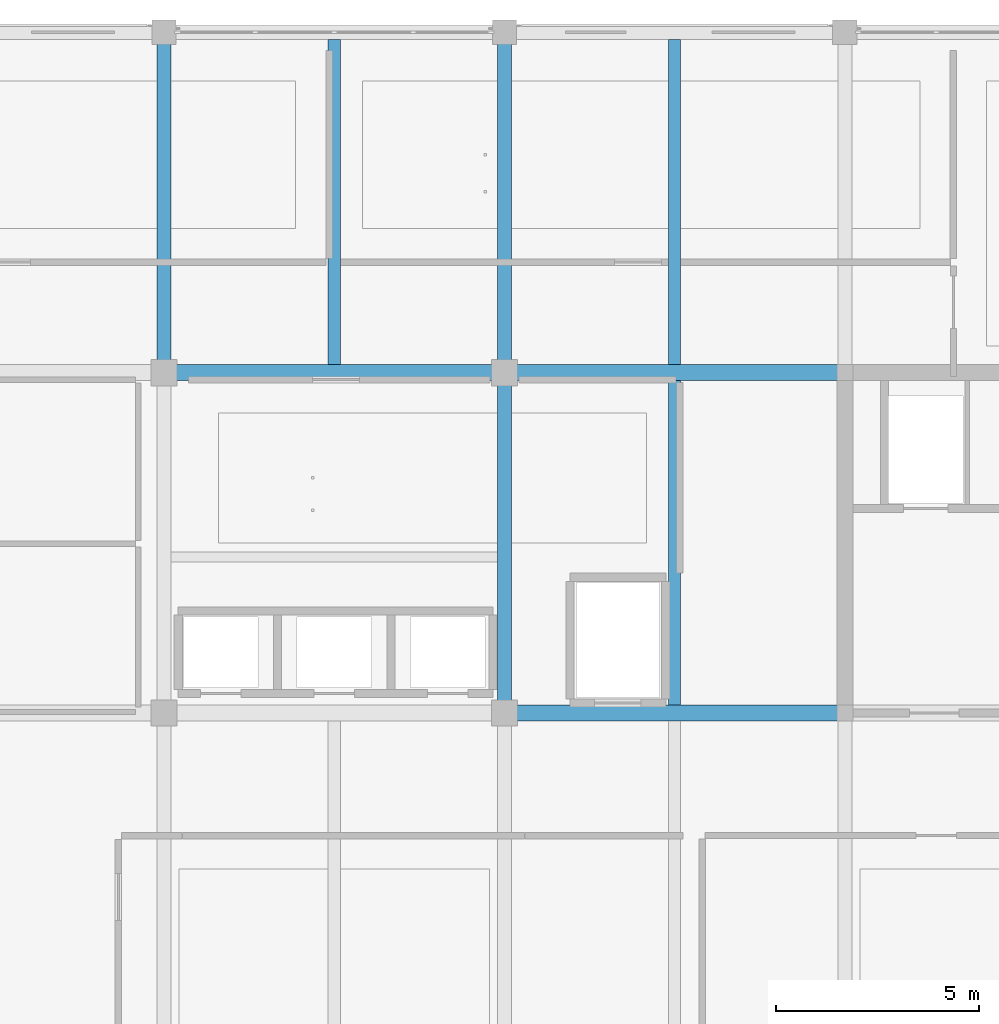
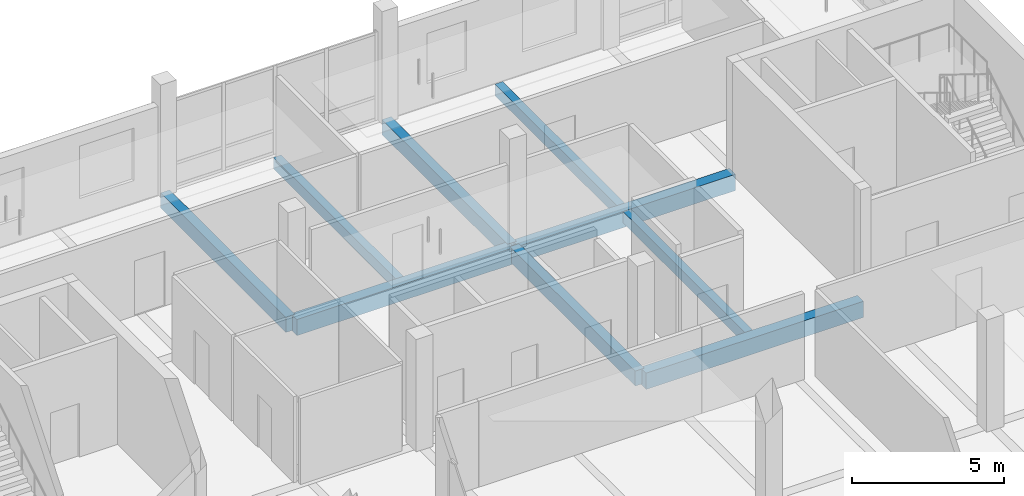
# One storey, part 5 of 30: 9 beams.
"""IFC4 building model written with IfcOpenShell, lengths in metres."""

from ifc_helpers import new_model, si_unit, direction, frame, origin, origin_2d, place, context, subcontext, project, spatial, rectangle, extrude, material, material_profile, profile_set, type_object, element, save


model = new_model("IFC4")

# Units and contexts
model_context = context("Model", 3, precision=1e-05, world=origin(), true_north=direction((0.0, 1.0)))
body_context = subcontext(model_context, "Body", "Model", "MODEL_VIEW")
ifc_project = project(units=[si_unit("LENGTHUNIT", "METRE"), si_unit("AREAUNIT", "SQUARE_METRE"), si_unit("VOLUMEUNIT", "CUBIC_METRE"), si_unit("PLANEANGLEUNIT", "RADIAN"), si_unit("MASSUNIT", "GRAM", prefix="KILO")], contexts=[model_context])

# Site, building, storey
site_placement = place(None, origin())
site = spatial("IfcSite", under=ifc_project, at=site_placement, CompositionType="ELEMENT")
building_placement = place(site_placement, origin())
building = spatial("IfcBuilding", under=site, at=building_placement, Name="Telukmera Botanical Conservatory", CompositionType="ELEMENT")
storey_placement = place(building_placement, frame((0.0, 0.0, 60.0)))
storey = spatial("IfcBuildingStorey", under=building, at=storey_placement, Name="L13", CompositionType="ELEMENT", Elevation=60.0)

# Beams
ifc_material = material(Name="Concrete C40/50", Category="concrete")
ifc_material_profile_1 = material_profile(ifc_material, rectangle(XDim=0.300048828125, YDim=0.449951171875, at=origin_2d()), Name="RC 300x450")
ifc_profile_set_1 = profile_set([ifc_material_profile_1], Name="Concrete C40/50")
beam_type_1 = type_object("IfcBeamType", Name="Beam_B25", PredefinedType="JOIST", material=ifc_profile_set_1)
beam_1_placement = place(storey_placement, frame((79.800048828125, 34.60009765625, -0.22509765625), z_axis=(0.0, 1.0, 0.0), x_axis=(-1.0, 0.0, 0.0)))
element("IfcBeam", 1, at=beam_1_placement, inside=storey, type_object=beam_type_1, Name="Tower Secondary Floor Joist L13", PredefinedType="JOIST", context=body_context, shape_type="SweptSolid", body=[
    extrude(rectangle(XDim=0.300048828125, YDim=0.449951171875, at=origin_2d()), origin(), (0.0, 0.0, 1.0), 8.02490234375),
])
beam_2_placement = place(storey_placement, frame((88.199951171875, 26.199951171875, -0.22509765625), z_axis=(0.0, 1.0, 0.0), x_axis=(-1.0, 0.0, 0.0)))
element("IfcBeam", 2, at=beam_2_placement, inside=storey, type_object=beam_type_1, Name="Tower Secondary Floor Joist L13", PredefinedType="JOIST", context=body_context, shape_type="SweptSolid", body=[
    extrude(rectangle(XDim=0.300048828125, YDim=0.449951171875, at=origin_2d()), origin(), (0.0, 0.0, 1.0), 8.0),
])
beam_3_placement = place(storey_placement, frame((88.199951171875, 34.60009765625, -0.22509765625), z_axis=(0.0, 1.0, 0.0), x_axis=(-1.0, 0.0, 0.0)))
element("IfcBeam", 3, at=beam_3_placement, inside=storey, type_object=beam_type_1, Name="Tower Secondary Floor Joist L13", PredefinedType="JOIST", context=body_context, shape_type="SweptSolid", body=[
    extrude(rectangle(XDim=0.300048828125, YDim=0.449951171875, at=origin_2d()), origin(), (0.0, 0.0, 1.0), 8.02490234375),
])
ifc_material_profile_2 = material_profile(ifc_material, rectangle(XDim=0.39990234375, YDim=0.64990234375, at=origin_2d()), Name="RC 400x650")
ifc_profile_set_2 = profile_set([ifc_material_profile_2], Name="Concrete C40/50")
beam_type_2 = type_object("IfcBeamType", Name="Beam_B8", PredefinedType="BEAM", material=ifc_profile_set_2)
for number, where, z_axis, x_axis, name in (
    (4, (84.080078125, 26.0, -0.324951171875), (1.0, 0.0, 0.0), (0.0, 1.0, 0.0), "Tower Grid Beam L13"),
    (5, (75.679931640625, 34.39990234375, -0.324951171875), (1.0, 0.0, 0.0), (0.0, 1.0, 0.0), "Tower Grid Beam L13"),
    (6, (84.080078125, 34.39990234375, -0.324951171875), (1.0, 0.0, 0.0), (0.0, 1.0, 0.0), "Tower Grid Beam L13"),
):
    element("IfcBeam", number, at=place(storey_placement, frame(where, z_axis=z_axis, x_axis=x_axis)), inside=storey, type_object=beam_type_2, Name=name, PredefinedType="BEAM", context=body_context, shape_type="SweptSolid", body=[
        extrude(rectangle(XDim=0.39990234375, YDim=0.64990234375, at=origin_2d()), origin(), (0.0, 0.0, 1.0), 8.239990234375),
    ])
ifc_material_profile_3 = material_profile(ifc_material, rectangle(XDim=0.35009765625, YDim=0.60009765625, at=origin_2d()), Name="RC 350x600")
ifc_profile_set_3 = profile_set([ifc_material_profile_3], Name="Concrete C40/50")
beam_type_3 = type_object("IfcBeamType", Name="Beam_B9", PredefinedType="BEAM", material=ifc_profile_set_3)
for number, where, z_axis, x_axis, name in (
    (7, (75.60009765625, 34.47998046875, -0.300048828125), (0.0, 1.0, 0.0), (-1.0, 0.0, 0.0), "Tower Transverse Beam L13"),
    (8, (84.0, 26.080078125, -0.300048828125), (0.0, 1.0, 0.0), (-1.0, 0.0, 0.0), "Tower Transverse Beam L13"),
    (9, (84.0, 34.47998046875, -0.300048828125), (0.0, 1.0, 0.0), (-1.0, 0.0, 0.0), "Tower Transverse Beam L13"),
):
    element("IfcBeam", number, at=place(storey_placement, frame(where, z_axis=z_axis, x_axis=x_axis)), inside=storey, type_object=beam_type_3, Name=name, PredefinedType="BEAM", context=body_context, shape_type="SweptSolid", body=[
        extrude(rectangle(XDim=0.35009765625, YDim=0.60009765625, at=origin_2d()), origin(), (0.0, 0.0, 1.0), 8.239990234375),
    ])

save(model, "model.ifc")
